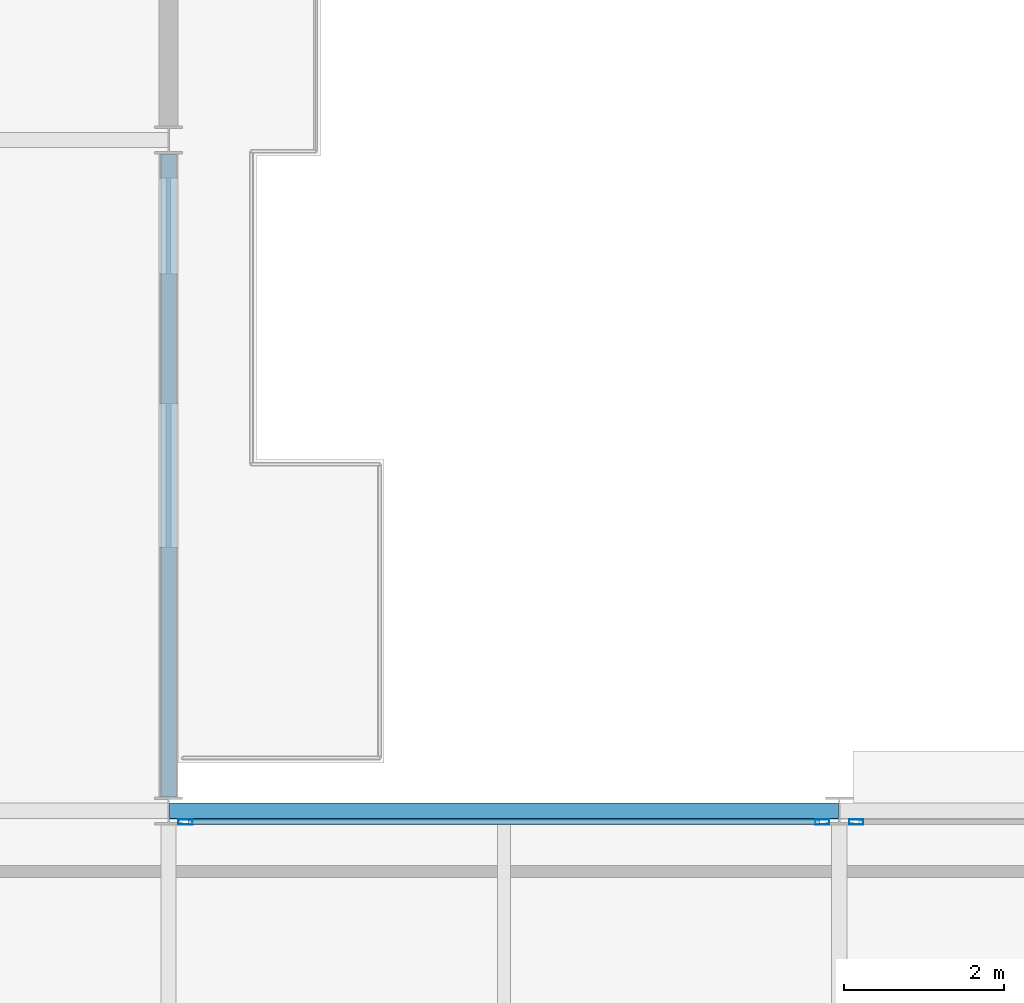
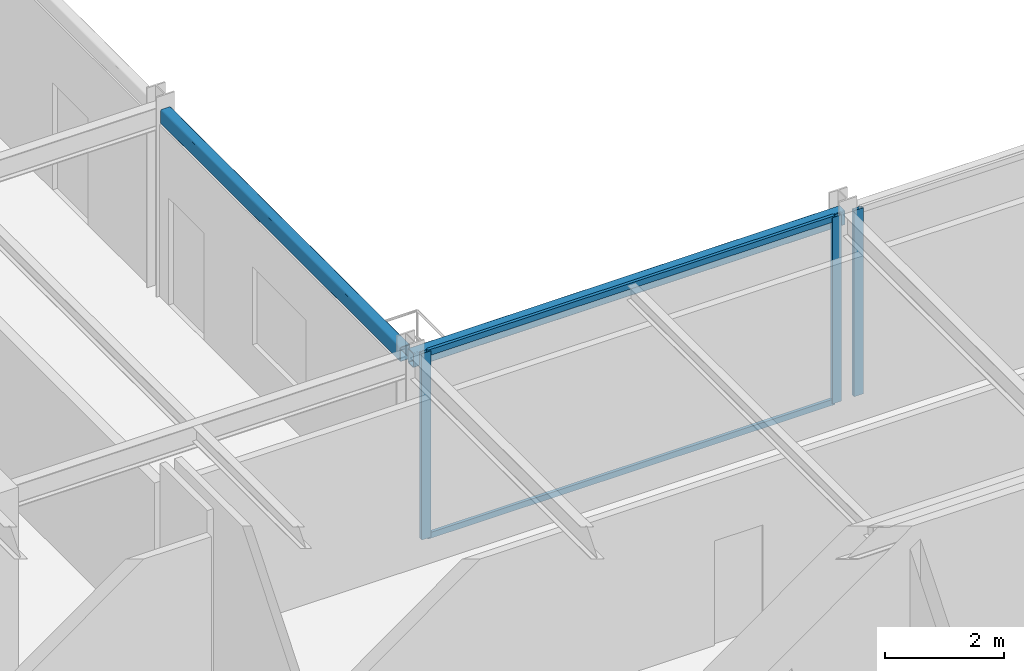
# One storey, part 16 of 30: 5 members, 2 beams, 2 elements without a shape of their own.
"""IFC4 building model written with IfcOpenShell, lengths in metres."""

from ifc_helpers import new_model, si_unit, direction, frame, origin, origin_2d, place, context, subcontext, project, spatial, hollow_rectangle, extrude, material, layer, layer_set, material_profile, profile_set, type_object, element, aggregate, save


model = new_model("IFC4")

# Units and contexts
model_context = context("Model", 3, precision=1e-05, world=origin(), true_north=direction((0.0, 1.0)))
body_context = subcontext(model_context, "Body", "Model", "MODEL_VIEW")
ifc_project = project(units=[si_unit("LENGTHUNIT", "METRE"), si_unit("AREAUNIT", "SQUARE_METRE"), si_unit("VOLUMEUNIT", "CUBIC_METRE"), si_unit("PLANEANGLEUNIT", "RADIAN"), si_unit("MASSUNIT", "GRAM", prefix="KILO")], contexts=[model_context])

# Site, building, storey
site_placement = place(None, origin())
site = spatial("IfcSite", under=ifc_project, at=site_placement, CompositionType="ELEMENT")
building_placement = place(site_placement, origin())
building = spatial("IfcBuilding", under=site, at=building_placement, Name="Nerrivon Quay Data Exchange", CompositionType="ELEMENT")
storey_placement = place(building_placement, frame((0.0, 0.0, 167.300048828125)))
storey = spatial("IfcBuildingStorey", under=building, at=storey_placement, Name="L39", CompositionType="ELEMENT", Elevation=167.300048828125)

# Beams
ifc_material_1 = material(Name="Steel Grade C350L0 (350 MPa)", Category="steel")
ifc_material_profile_1 = material_profile(ifc_material_1, hollow_rectangle(XDim=0.199951171875, YDim=0.300048828125, WallThickness=0.012451171875, InnerFilletRadius=0.018798828125, OuterFilletRadius=0.03125, at=origin_2d()), Name="300x200x12.5RHS")
ifc_profile_set_1 = profile_set([ifc_material_profile_1], Name="Steel Grade C350L0 (350 MPa)")
beam_type = type_object("IfcBeamType", Name="BM-SP3-300x200RHS", PredefinedType="SPANDREL", material=ifc_profile_set_1)
beam_1_placement = place(storey_placement, frame((25.2099609375, 25.199951171875, 3.675048828125), z_axis=(1.0, 0.0, 0.0), x_axis=(0.0, 1.0, 0.0)))
element("IfcBeam", 1, at=beam_1_placement, inside=storey, type_object=beam_type, Name="L39 EW Girder Y=25.2 (25.2..33.6)", PredefinedType="SPANDREL", context=body_context, shape_type="SweptSolid", body=[
    extrude(hollow_rectangle(XDim=0.199951171875, YDim=0.300048828125, WallThickness=0.012451171875, InnerFilletRadius=0.018798828125, OuterFilletRadius=0.03125, at=origin_2d()), origin(), (0.0, 0.0, 1.0), 8.380126953125),
])
beam_2_placement = place(storey_placement, frame((25.199951171875, 25.375, 3.675048828125), z_axis=(0.0, 1.0, 0.0), x_axis=(-1.0, 0.0, 0.0)))
element("IfcBeam", 2, at=beam_2_placement, inside=storey, type_object=beam_type, Name="L39 NS Girder X=25.2 (25.2..33.6)", PredefinedType="SPANDREL", context=body_context, shape_type="SweptSolid", body=[
    extrude(hollow_rectangle(XDim=0.199951171875, YDim=0.300048828125, WallThickness=0.012451171875, InnerFilletRadius=0.018798828125, OuterFilletRadius=0.03125, at=origin_2d()), origin(), (0.0, 0.0, 1.0), 8.050048828125),
])

# Curtain wall, members
ifc_material_2 = material(Name="Anodised aluminium 6063-T6", Category="aluminium")
ifc_layer = layer(ifc_material_2, 0.195068359375)
ifc_layer_set = layer_set([ifc_layer], Name="Anodised aluminium 6063-T6")
curtain_wall_type = type_object("IfcCurtainWallType", Name="CW-SYS-06", PredefinedType="NOTDEFINED", material=ifc_layer_set)
curtain_wall_1_placement = place(storey_placement, origin())
curtain_wall_1 = element("IfcCurtainWall", 3, at=curtain_wall_1_placement, inside=storey, type_object=curtain_wall_type, Name="L39 Unitised Curtain Wall 26", PredefinedType="NOTDEFINED")
ifc_material_profile_2 = material_profile(ifc_material_2, hollow_rectangle(XDim=0.06494140625, YDim=0.179931640625, WallThickness=0.00341796875, at=origin_2d()), Name="ALU-MULL-180x65")
ifc_profile_set_2 = profile_set([ifc_material_profile_2], Name="Anodised aluminium 6063-T6")
member_type_1 = type_object("IfcMemberType", Name="CWM-180x65", PredefinedType="MULLION", material=ifc_profile_set_2)
member_1_placement = place(storey_placement, frame((25.41259765625, 25.06005859375, 0.0), z_axis=(0.0, 0.0, 1.0), x_axis=(0.0, 1.0, 0.0)))
member_1 = element("IfcMember", 4, at=member_1_placement, type_object=member_type_1, Name="CW06 mullion 1", PredefinedType="MULLION", context=body_context, shape_type="SweptSolid", body=[
    extrude(hollow_rectangle(XDim=0.06494140625, YDim=0.179931640625, WallThickness=0.00341796875, at=origin_2d()), origin(), (0.0, 0.0, 1.0), 3.824951171875),
])
member_2_placement = place(storey_placement, frame((33.387451171875, 25.06005859375, 0.0), z_axis=(0.0, 0.0, 1.0), x_axis=(0.0, 1.0, 0.0)))
member_2 = element("IfcMember", 5, at=member_2_placement, type_object=member_type_1, Name="CW06 mullion 2", PredefinedType="MULLION", context=body_context, shape_type="SweptSolid", body=[
    extrude(hollow_rectangle(XDim=0.06494140625, YDim=0.179931640625, WallThickness=0.00341796875, at=origin_2d()), origin(), (0.0, 0.0, 1.0), 3.824951171875),
])

# Curtain wall, member
curtain_wall_2_placement = place(storey_placement, origin())
curtain_wall_2 = element("IfcCurtainWall", 6, at=curtain_wall_2_placement, inside=storey, type_object=curtain_wall_type, Name="L39 Unitised Curtain Wall 27", PredefinedType="NOTDEFINED")
member_3_placement = place(storey_placement, frame((33.8125, 25.06005859375, 0.0), z_axis=(0.0, 0.0, 1.0), x_axis=(0.0, 1.0, 0.0)))
member_3 = element("IfcMember", 7, at=member_3_placement, type_object=member_type_1, Name="CW06 mullion 1", PredefinedType="MULLION", context=body_context, shape_type="SweptSolid", body=[
    extrude(hollow_rectangle(XDim=0.06494140625, YDim=0.179931640625, WallThickness=0.00341796875, at=origin_2d()), origin(), (0.0, 0.0, 1.0), 3.824951171875),
])
aggregate(curtain_wall_2, [member_3])

# Member
ifc_material_profile_3 = material_profile(ifc_material_2, hollow_rectangle(XDim=0.06005859375, YDim=0.1201171875, WallThickness=0.003173828125, at=origin_2d()), Name="ALU-TRAN-120x60")
ifc_profile_set_3 = profile_set([ifc_material_profile_3], Name="Anodised aluminium 6063-T6")
member_type_2 = type_object("IfcMemberType", Name="CWT-120x60", PredefinedType="USERDEFINED", material=ifc_profile_set_3)
member_4_placement = place(storey_placement, frame((25.449951171875, 25.06005859375, 0.032470703125), z_axis=(1.0, 0.0, 0.0), x_axis=(0.0, 1.0, 0.0)))
member_4 = element("IfcMember", 8, at=member_4_placement, type_object=member_type_2, Name="CW06 transom 1.1", ObjectType="TRANSOM", PredefinedType="USERDEFINED", context=body_context, shape_type="SweptSolid", body=[
    extrude(hollow_rectangle(XDim=0.06005859375, YDim=0.1201171875, WallThickness=0.003173828125, at=origin_2d()), origin(), (0.0, 0.0, 1.0), 7.900146484375),
])

member_5_placement = place(storey_placement, frame((25.449951171875, 25.06005859375, 3.79248046875), z_axis=(1.0, 0.0, 0.0), x_axis=(0.0, 1.0, 0.0)))
member_5 = element("IfcMember", 9, at=member_5_placement, type_object=member_type_2, Name="CW06 transom 1.2", ObjectType="TRANSOM", PredefinedType="USERDEFINED", context=body_context, shape_type="SweptSolid", body=[
    extrude(hollow_rectangle(XDim=0.06005859375, YDim=0.1201171875, WallThickness=0.003173828125, at=origin_2d()), origin(), (0.0, 0.0, 1.0), 7.900146484375),
])

aggregate(curtain_wall_1, [member_1, member_2, member_4, member_5])

save(model, "model.ifc")
